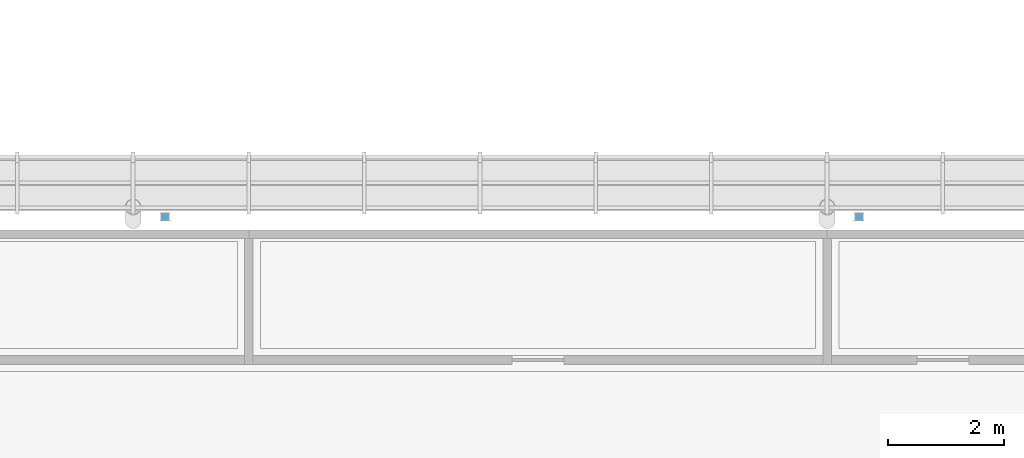
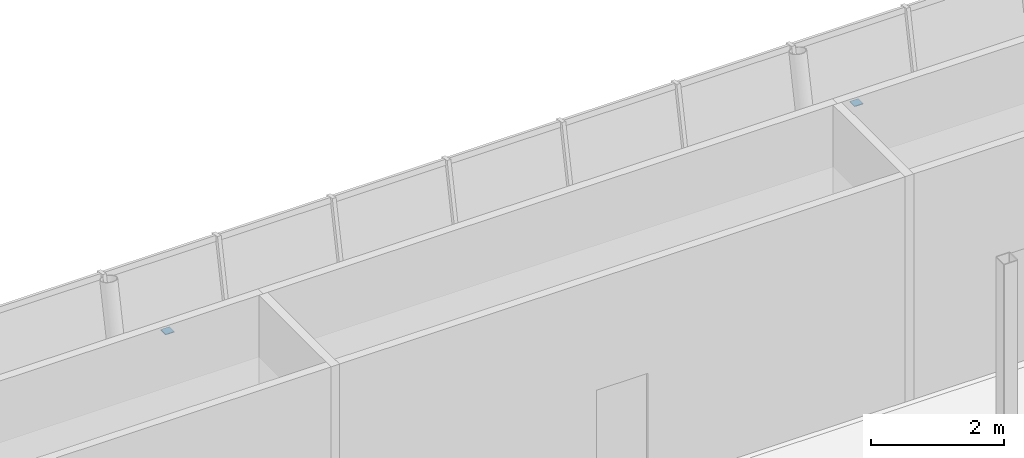
# One storey, part 87 of 115: 2 discrete accessories.
"""IFC4 building model written with IfcOpenShell, lengths in metres."""

from ifc_helpers import new_model, si_unit, direction, frame, origin, origin_2d, place, context, subcontext, project, spatial, rectangle, extrude, material, layer, layer_set, type_object, element, save


model = new_model("IFC4")

# Units and contexts
model_context = context("Model", 3, precision=1e-05, world=origin(), true_north=direction((0.0, 1.0)))
body_context = subcontext(model_context, "Body", "Model", "MODEL_VIEW")
ifc_project = project(units=[si_unit("LENGTHUNIT", "METRE"), si_unit("AREAUNIT", "SQUARE_METRE"), si_unit("VOLUMEUNIT", "CUBIC_METRE"), si_unit("PLANEANGLEUNIT", "RADIAN"), si_unit("MASSUNIT", "GRAM", prefix="KILO")], contexts=[model_context])

# Site, building, storey
site_placement = place(None, origin())
site = spatial("IfcSite", under=ifc_project, at=site_placement, CompositionType="ELEMENT")
building_placement = place(site_placement, origin())
building = spatial("IfcBuilding", under=site, at=building_placement, Name="Windward Yard Aquatics Centre", CompositionType="ELEMENT")
storey_placement = place(building_placement, frame((0.0, 0.0, 5.0)))
storey = spatial("IfcBuildingStorey", under=building, at=storey_placement, Name="L01", CompositionType="ELEMENT", Elevation=5.0)

# Discrete accessories
ifc_material = material(Name="Steel S355", Category="steel")
ifc_layer = layer(ifc_material, 0.010009765625)
ifc_layer_set = layer_set([ifc_layer], Name="End cap plate 10 mm RHS152.4x152.4x12.7")
discrete_accessory_type = type_object("IfcDiscreteAccessoryType", Name="End cap plate 10 mm RHS152.4x152.4x12.7", PredefinedType="USERDEFINED", material=ifc_layer_set)
for number, where, z_axis, x_axis, name in (
    (1, (84.550048828125, 95.77490234375, 3.742919921875), (0.0, 0.0, 1.0), (1.0, 0.0, 0.0), "End cap"),
    (2, (96.550048828125, 95.77490234375, 3.742919921875), (0.0, 0.0, 1.0), (1.0, 0.0, 0.0), "End cap"),
):
    element("IfcDiscreteAccessory", number, at=place(storey_placement, frame(where, z_axis=z_axis, x_axis=x_axis)), inside=storey, type_object=discrete_accessory_type, Name=name, ObjectType="END CAP", PredefinedType="USERDEFINED", context=body_context, shape_type="SweptSolid", body=[
        extrude(rectangle(XDim=0.15234375, YDim=0.15234375, at=origin_2d()), origin(), (0.0, 0.0, 1.0), 0.010009765625),
    ])

save(model, "model.ifc")
